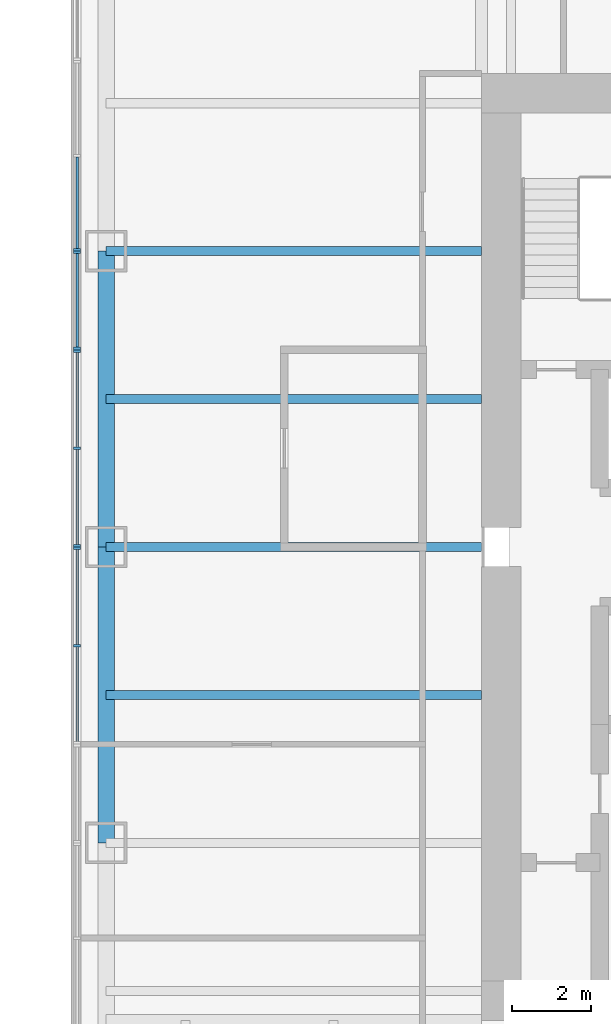
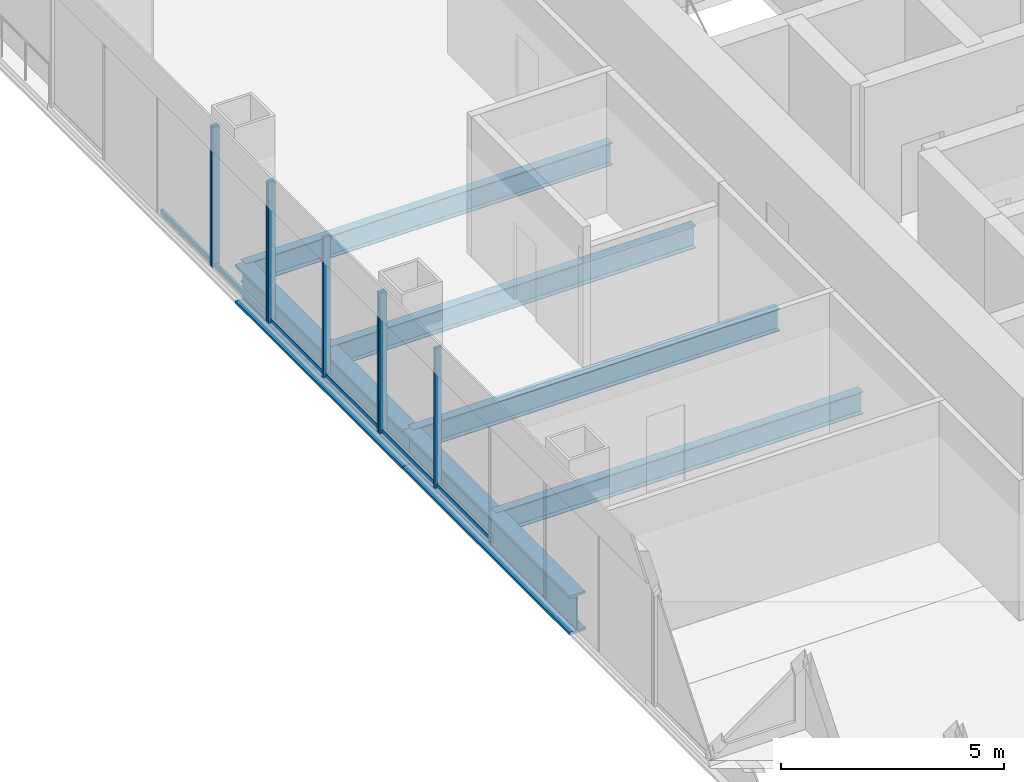
# One storey, part 3 of 13: 14 members, 6 beams, 4 elements without a shape of their own.
"""IFC4 building model written with IfcOpenShell, lengths in metres."""

from ifc_helpers import new_model, si_unit, direction, frame, origin, origin_2d, place, context, subcontext, project, spatial, rectangle, i_section, extrude, material, material_profile, profile_set, type_object, element, aggregate, save


model = new_model("IFC4")

# Units and contexts
model_context = context("Model", 3, precision=1e-05, world=origin(), true_north=direction((0.0, 1.0)))
body_context = subcontext(model_context, "Body", "Model", "MODEL_VIEW")
ifc_project = project(units=[si_unit("LENGTHUNIT", "METRE"), si_unit("AREAUNIT", "SQUARE_METRE"), si_unit("VOLUMEUNIT", "CUBIC_METRE"), si_unit("PLANEANGLEUNIT", "RADIAN"), si_unit("MASSUNIT", "GRAM", prefix="KILO")], contexts=[model_context])

# Site, building, storey
site_placement = place(None, origin())
site = spatial("IfcSite", under=ifc_project, at=site_placement, CompositionType="ELEMENT")
building_placement = place(site_placement, origin())
building = spatial("IfcBuilding", under=site, at=building_placement, Name="Tarangal Relay Tower", CompositionType="ELEMENT")
storey_placement = place(building_placement, frame((0.0, 0.0, 201.89990234375)))
storey = spatial("IfcBuildingStorey", under=building, at=storey_placement, Name="L42", CompositionType="ELEMENT", Elevation=201.89990234375)

# Beams
ifc_material_1 = material(Name="Steel ASTM A992", Category="steel")
ifc_material_profile_1 = material_profile(ifc_material_1, i_section(OverallWidth=0.41650390625, OverallDepth=1.0693359375, WebThickness=0.0390625, FlangeThickness=0.070068359375, at=origin_2d()), Name="W40X503")
ifc_profile_set_1 = profile_set([ifc_material_profile_1], Name="Steel ASTM A992")
beam_type_1 = type_object("IfcBeamType", Name="Edge girder W40X503", PredefinedType="SPANDREL", material=ifc_profile_set_1)
for number, where, z_axis, x_axis, name in (
    (1, (-21.514892578125, -7.5, -0.6845703125), (0.0, 1.0, 0.0), (-1.0, 0.0, 0.0), "Edge girder EG8 W L42"),
    (2, (-21.514892578125, 0.0, -0.6845703125), (0.0, 1.0, 0.0), (-1.0, 0.0, 0.0), "Edge girder EG8 W L42"),
):
    element("IfcBeam", number, at=place(storey_placement, frame(where, z_axis=z_axis, x_axis=x_axis)), inside=storey, type_object=beam_type_1, Name=name, PredefinedType="SPANDREL", context=body_context, shape_type="SweptSolid", body=[
        extrude(i_section(OverallWidth=0.41650390625, OverallDepth=1.0693359375, WebThickness=0.0390625, FlangeThickness=0.070068359375, at=origin_2d()), origin(), (0.0, 0.0, 1.0), 7.5),
    ])
ifc_material_profile_2 = material_profile(ifc_material_1, i_section(OverallWidth=0.22900390625, OverallDepth=0.612060546875, WebThickness=0.011962890625, FlangeThickness=0.01953125, at=origin_2d()), Name="W24X84")
ifc_profile_set_2 = profile_set([ifc_material_profile_2], Name="Steel ASTM A992")
beam_type_2 = type_object("IfcBeamType", Name="Floor beam W24X84", PredefinedType="BEAM", material=ifc_profile_set_2)
for number, where, z_axis, x_axis, name in (
    (3, (-12.0, -3.75, -0.455810546875), (-1.0, 0.0, 0.0), (0.0, -1.0, 0.0), "Floor beam RB12 W L42"),
    (4, (-12.0, 0.0, -0.455810546875), (-1.0, 0.0, 0.0), (0.0, -1.0, 0.0), "Floor beam RB12 W L42"),
    (5, (-12.0, 3.75, -0.455810546875), (-1.0, 0.0, 0.0), (0.0, -1.0, 0.0), "Floor beam RB12 W L42"),
    (6, (-12.0, 7.5, -0.455810546875), (-1.0, 0.0, 0.0), (0.0, -1.0, 0.0), "Floor beam RB12 W L42"),
):
    element("IfcBeam", number, at=place(storey_placement, frame(where, z_axis=z_axis, x_axis=x_axis)), inside=storey, type_object=beam_type_2, Name=name, PredefinedType="BEAM", context=body_context, shape_type="SweptSolid", body=[
        extrude(i_section(OverallWidth=0.22900390625, OverallDepth=0.612060546875, WebThickness=0.011962890625, FlangeThickness=0.01953125, at=origin_2d()), origin(), (0.0, 0.0, 1.0), 9.514892578125),
    ])

# Curtain wall, members
ifc_material_2 = material(Name="Unitised curtain wall, dark glass and black aluminium", Category="aluminium")
curtain_wall_type_1 = type_object("IfcCurtainWallType", Name="Curtain wall CW-A", PredefinedType="USERDEFINED", material=ifc_material_2)
curtain_wall_1_placement = place(storey_placement, origin())
curtain_wall_1 = element("IfcCurtainWall", 7, at=curtain_wall_1_placement, inside=storey, type_object=curtain_wall_type_1, Name="Curtain wall CW-A W facade L42", ObjectType="UNITISED CURTAIN WALL", PredefinedType="USERDEFINED")
ifc_material_3 = material(Name="Black anodised aluminium mullion", Category="aluminium")
ifc_material_profile_3 = material_profile(ifc_material_3, rectangle(XDim=0.175048828125, YDim=0.06494140625, at=origin_2d()), Name="CW-AM 65X175")
ifc_profile_set_3 = profile_set([ifc_material_profile_3], Name="Black anodised aluminium mullion")
member_type_1 = type_object("IfcMemberType", Name="Mullion CW-A 65 x 175", PredefinedType="MULLION", material=ifc_profile_set_3)
member_1_placement = place(storey_placement, frame((-22.25, -2.5, 0.0), z_axis=(0.0, 0.0, 1.0), x_axis=(-1.0, 0.0, 0.0)))
member_1 = element("IfcMember", 8, at=member_1_placement, type_object=member_type_1, Name="CW-A mullion 2", PredefinedType="MULLION", context=body_context, shape_type="SweptSolid", body=[
    extrude(rectangle(XDim=0.175048828125, YDim=0.06494140625, at=origin_2d()), origin(), (0.0, 0.0, 1.0), 3.85009765625),
])
member_2_placement = place(storey_placement, frame((-22.25, -0.032470703125, 0.0), z_axis=(0.0, 0.0, 1.0), x_axis=(-1.0, 0.0, 0.0)))
member_2 = element("IfcMember", 9, at=member_2_placement, type_object=member_type_1, Name="CW-A mullion 3", PredefinedType="MULLION", context=body_context, shape_type="SweptSolid", body=[
    extrude(rectangle(XDim=0.175048828125, YDim=0.06494140625, at=origin_2d()), origin(), (0.0, 0.0, 1.0), 3.85009765625),
])

curtain_wall_2_placement = place(storey_placement, origin())
curtain_wall_2 = element("IfcCurtainWall", 10, at=curtain_wall_2_placement, inside=storey, type_object=curtain_wall_type_1, Name="Curtain wall CW-A W facade L42", ObjectType="UNITISED CURTAIN WALL", PredefinedType="USERDEFINED")
member_3_placement = place(storey_placement, frame((-22.25, 0.032470703125, 0.0), z_axis=(0.0, 0.0, 1.0), x_axis=(-1.0, 0.0, 0.0)))
member_3 = element("IfcMember", 11, at=member_3_placement, type_object=member_type_1, Name="CW-A mullion 1", PredefinedType="MULLION", context=body_context, shape_type="SweptSolid", body=[
    extrude(rectangle(XDim=0.175048828125, YDim=0.06494140625, at=origin_2d()), origin(), (0.0, 0.0, 1.0), 3.85009765625),
])
member_4_placement = place(storey_placement, frame((-22.25, 2.5, 0.0), z_axis=(0.0, 0.0, 1.0), x_axis=(-1.0, 0.0, 0.0)))
member_4 = element("IfcMember", 12, at=member_4_placement, type_object=member_type_1, Name="CW-A mullion 2", PredefinedType="MULLION", context=body_context, shape_type="SweptSolid", body=[
    extrude(rectangle(XDim=0.175048828125, YDim=0.06494140625, at=origin_2d()), origin(), (0.0, 0.0, 1.0), 3.85009765625),
])
member_5_placement = place(storey_placement, frame((-22.25, 4.967529296875, 0.0), z_axis=(0.0, 0.0, 1.0), x_axis=(-1.0, 0.0, 0.0)))
member_5 = element("IfcMember", 13, at=member_5_placement, type_object=member_type_1, Name="CW-A mullion 3", PredefinedType="MULLION", context=body_context, shape_type="SweptSolid", body=[
    extrude(rectangle(XDim=0.175048828125, YDim=0.06494140625, at=origin_2d()), origin(), (0.0, 0.0, 1.0), 3.85009765625),
])

ifc_material_4 = material(Name="Unitised curtain wall frame, black aluminium, with metal clad infill walls", Category="aluminium")
curtain_wall_type_2 = type_object("IfcCurtainWallType", Name="Curtain wall CW-AO", PredefinedType="USERDEFINED", material=ifc_material_4)
curtain_wall_3_placement = place(storey_placement, origin())
curtain_wall_3 = element("IfcCurtainWall", 14, at=curtain_wall_3_placement, inside=storey, type_object=curtain_wall_type_2, Name="Curtain wall CW-AO W facade L42", ObjectType="UNITISED CURTAIN WALL", PredefinedType="USERDEFINED")
ifc_material_profile_4 = material_profile(ifc_material_3, rectangle(XDim=0.175048828125, YDim=0.06494140625, at=origin_2d()), Name="CW-AOM 65X175")
ifc_profile_set_4 = profile_set([ifc_material_profile_4], Name="Black anodised aluminium mullion")
member_type_2 = type_object("IfcMemberType", Name="Mullion CW-AO 65 x 175", PredefinedType="MULLION", material=ifc_profile_set_4)
member_6_placement = place(storey_placement, frame((-22.25, 5.032470703125, 0.0), z_axis=(0.0, 0.0, 1.0), x_axis=(-1.0, 0.0, 0.0)))
member_6 = element("IfcMember", 15, at=member_6_placement, type_object=member_type_2, Name="CW-AO mullion 1", PredefinedType="MULLION", context=body_context, shape_type="SweptSolid", body=[
    extrude(rectangle(XDim=0.175048828125, YDim=0.06494140625, at=origin_2d()), origin(), (0.0, 0.0, 1.0), 3.85009765625),
])
member_7_placement = place(storey_placement, frame((-22.25, 7.467529296875, 0.0), z_axis=(0.0, 0.0, 1.0), x_axis=(-1.0, 0.0, 0.0)))
member_7 = element("IfcMember", 16, at=member_7_placement, type_object=member_type_2, Name="CW-AO mullion 2", PredefinedType="MULLION", context=body_context, shape_type="SweptSolid", body=[
    extrude(rectangle(XDim=0.175048828125, YDim=0.06494140625, at=origin_2d()), origin(), (0.0, 0.0, 1.0), 3.85009765625),
])

# Curtain wall, member
curtain_wall_4_placement = place(storey_placement, origin())
curtain_wall_4 = element("IfcCurtainWall", 17, at=curtain_wall_4_placement, inside=storey, type_object=curtain_wall_type_2, Name="Curtain wall CW-AO W facade L42", ObjectType="UNITISED CURTAIN WALL", PredefinedType="USERDEFINED")
member_8_placement = place(storey_placement, frame((-22.25, 7.532470703125, 0.0), z_axis=(0.0, 0.0, 1.0), x_axis=(-1.0, 0.0, 0.0)))
member_8 = element("IfcMember", 18, at=member_8_placement, type_object=member_type_2, Name="CW-AO mullion 1", PredefinedType="MULLION", context=body_context, shape_type="SweptSolid", body=[
    extrude(rectangle(XDim=0.175048828125, YDim=0.06494140625, at=origin_2d()), origin(), (0.0, 0.0, 1.0), 3.85009765625),
])

# Member
ifc_material_5 = material(Name="Black anodised aluminium transom", Category="aluminium")
ifc_material_profile_5 = material_profile(ifc_material_5, rectangle(XDim=0.06494140625, YDim=0.14990234375, at=origin_2d()), Name="CW-AT 65X150")
ifc_profile_set_5 = profile_set([ifc_material_profile_5], Name="Black anodised aluminium transom")
member_type_3 = type_object("IfcMemberType", Name="Transom CW-A 65 x 150", PredefinedType="USERDEFINED", material=ifc_profile_set_5)
member_9_placement = place(storey_placement, frame((-22.25, -4.93505859375, 0.03271484375), z_axis=(0.0, 1.0, 0.0), x_axis=(-1.0, 0.0, 0.0)))
member_9 = element("IfcMember", 19, at=member_9_placement, type_object=member_type_3, Name="CW-A transom 1.1", ObjectType="TRANSOM", PredefinedType="USERDEFINED", context=body_context, shape_type="SweptSolid", body=[
    extrude(rectangle(XDim=0.06494140625, YDim=0.14990234375, at=origin_2d()), origin(), (0.0, 0.0, 1.0), 2.402587890625),
])

member_10_placement = place(storey_placement, frame((-22.25, -2.467529296875, 0.03271484375), z_axis=(0.0, 1.0, 0.0), x_axis=(-1.0, 0.0, 0.0)))
member_10 = element("IfcMember", 20, at=member_10_placement, type_object=member_type_3, Name="CW-A transom 2.1", ObjectType="TRANSOM", PredefinedType="USERDEFINED", context=body_context, shape_type="SweptSolid", body=[
    extrude(rectangle(XDim=0.06494140625, YDim=0.14990234375, at=origin_2d()), origin(), (0.0, 0.0, 1.0), 2.402587890625),
])

aggregate(curtain_wall_1, [member_1, member_2, member_9, member_10])

member_11_placement = place(storey_placement, frame((-22.25, 0.06494140625, 0.03271484375), z_axis=(0.0, 1.0, 0.0), x_axis=(-1.0, 0.0, 0.0)))
member_11 = element("IfcMember", 21, at=member_11_placement, type_object=member_type_3, Name="CW-A transom 1.1", ObjectType="TRANSOM", PredefinedType="USERDEFINED", context=body_context, shape_type="SweptSolid", body=[
    extrude(rectangle(XDim=0.06494140625, YDim=0.14990234375, at=origin_2d()), origin(), (0.0, 0.0, 1.0), 2.402587890625),
])

member_12_placement = place(storey_placement, frame((-22.25, 2.532470703125, 0.03271484375), z_axis=(0.0, 1.0, 0.0), x_axis=(-1.0, 0.0, 0.0)))
member_12 = element("IfcMember", 22, at=member_12_placement, type_object=member_type_3, Name="CW-A transom 2.1", ObjectType="TRANSOM", PredefinedType="USERDEFINED", context=body_context, shape_type="SweptSolid", body=[
    extrude(rectangle(XDim=0.06494140625, YDim=0.14990234375, at=origin_2d()), origin(), (0.0, 0.0, 1.0), 2.402587890625),
])

aggregate(curtain_wall_2, [member_3, member_4, member_5, member_11, member_12])

ifc_material_profile_6 = material_profile(ifc_material_5, rectangle(XDim=0.06494140625, YDim=0.14990234375, at=origin_2d()), Name="CW-AOT 65X150")
ifc_profile_set_6 = profile_set([ifc_material_profile_6], Name="Black anodised aluminium transom")
member_type_4 = type_object("IfcMemberType", Name="Transom CW-AO 65 x 150", PredefinedType="USERDEFINED", material=ifc_profile_set_6)
member_13_placement = place(storey_placement, frame((-22.25, 5.06494140625, 0.03271484375), z_axis=(0.0, 1.0, 0.0), x_axis=(-1.0, 0.0, 0.0)))
member_13 = element("IfcMember", 23, at=member_13_placement, type_object=member_type_4, Name="CW-AO transom 1.1", ObjectType="TRANSOM", PredefinedType="USERDEFINED", context=body_context, shape_type="SweptSolid", body=[
    extrude(rectangle(XDim=0.06494140625, YDim=0.14990234375, at=origin_2d()), origin(), (0.0, 0.0, 1.0), 2.3701171875),
])

aggregate(curtain_wall_3, [member_6, member_7, member_13])

member_14_placement = place(storey_placement, frame((-22.25, 7.56494140625, 0.03271484375), z_axis=(0.0, 1.0, 0.0), x_axis=(-1.0, 0.0, 0.0)))
member_14 = element("IfcMember", 24, at=member_14_placement, type_object=member_type_4, Name="CW-AO transom 1.1", ObjectType="TRANSOM", PredefinedType="USERDEFINED", context=body_context, shape_type="SweptSolid", body=[
    extrude(rectangle(XDim=0.06494140625, YDim=0.14990234375, at=origin_2d()), origin(), (0.0, 0.0, 1.0), 2.319091796875),
])

aggregate(curtain_wall_4, [member_8, member_14])

save(model, "model.ifc")
